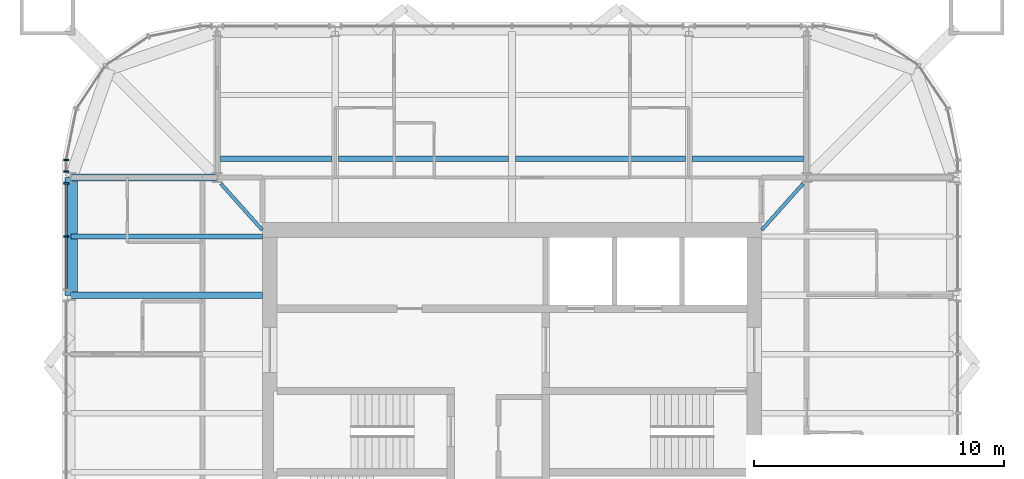
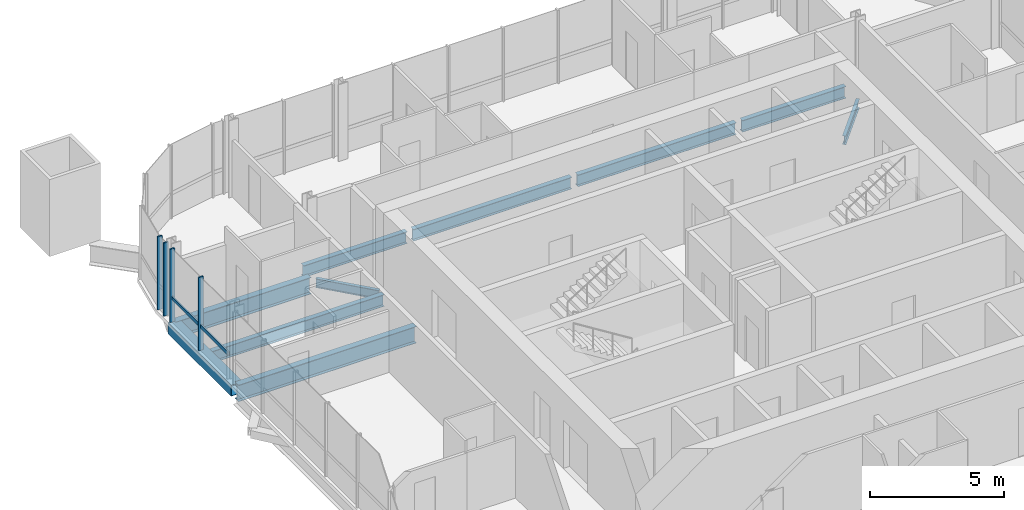
# One storey, part 4 of 17: 10 beams, 6 members, 2 elements without a shape of their own.
"""IFC4 building model written with IfcOpenShell, lengths in metres."""

from ifc_helpers import new_model, si_unit, direction, frame, origin, origin_2d, place, context, subcontext, project, spatial, rectangle, hollow_rectangle, i_section, extrude, material, material_profile, profile_set, type_object, element, aggregate, save


model = new_model("IFC4")

# Units and contexts
model_context = context("Model", 3, precision=1e-05, world=origin(), true_north=direction((0.0, 1.0)))
body_context = subcontext(model_context, "Body", "Model", "MODEL_VIEW")
ifc_project = project(units=[si_unit("LENGTHUNIT", "METRE"), si_unit("AREAUNIT", "SQUARE_METRE"), si_unit("VOLUMEUNIT", "CUBIC_METRE"), si_unit("PLANEANGLEUNIT", "RADIAN"), si_unit("MASSUNIT", "GRAM", prefix="KILO")], contexts=[model_context])

# Site, building, storey
site_placement = place(None, origin())
site = spatial("IfcSite", under=ifc_project, at=site_placement, CompositionType="ELEMENT")
building_placement = place(site_placement, origin())
building = spatial("IfcBuilding", under=site, at=building_placement, Name="Turquesa Mirador Hotel Tower", CompositionType="ELEMENT")
storey_placement = place(building_placement, frame((0.0, 0.0, 244.199951171875)))
storey = spatial("IfcBuildingStorey", under=building, at=storey_placement, Name="L66", CompositionType="ELEMENT", Elevation=244.199951171875)

# Beams
ifc_material_1 = material(Name="Steel ASTM A572 Grade 50", Category="steel")
ifc_material_profile_1 = material_profile(ifc_material_1, hollow_rectangle(XDim=0.5, YDim=0.5, WallThickness=0.01611328125, at=origin_2d()), Name="BOX500X500X16")
ifc_profile_set_1 = profile_set([ifc_material_profile_1], Name="Steel ASTM A572 Grade 50")
beam_type_1 = type_object("IfcBeamType", Name="BEAM BOX500X500X16", PredefinedType="BEAM", material=ifc_profile_set_1)
beam_1_placement = place(storey_placement, frame((37.35009765625, 52.080078125, -0.419921875), z_axis=(0.0, 1.0, 0.0), x_axis=(-1.0, 0.0, 0.0)))
element("IfcBeam", 1, at=beam_1_placement, inside=storey, type_object=beam_type_1, Name="EB-L66-W-R", PredefinedType="BEAM", context=body_context, shape_type="SweptSolid", body=[
    extrude(hollow_rectangle(XDim=0.5, YDim=0.5, WallThickness=0.01611328125, at=origin_2d()), origin(), (0.0, 0.0, 1.0), 4.719970703125),
])
ifc_material_2 = material(Name="Steel ASTM A992 Grade 50", Category="steel")
ifc_material_profile_2 = material_profile(ifc_material_2, i_section(OverallWidth=0.140380859375, OverallDepth=0.40380859375, WebThickness=0.007080078125, FlangeThickness=0.01123046875, at=origin_2d()), Name="W16X31")
ifc_profile_set_2 = profile_set([ifc_material_profile_2], Name="Steel ASTM A992 Grade 50")
beam_type_2 = type_object("IfcBeamType", Name="BEAM W16X31", PredefinedType="BEAM", material=ifc_profile_set_2)
for number, where, z_axis, x_axis, name in (
    (2, (66.656494140625, 56.55126953125, -0.371826171875), (-0.666806350186, -0.745231032198, 0.0), (0.745231032198, -0.666806350186, 0.0), "KT-L66-1"),
    (3, (43.343505859375, 56.55126953125, -0.371826171875), (0.666806350186, -0.745231032198, 0.0), (0.745231032198, 0.666806350186, 0.0), "KT-L66-2"),
):
    element("IfcBeam", number, at=place(storey_placement, frame(where, z_axis=z_axis, x_axis=x_axis)), inside=storey, type_object=beam_type_2, Name=name, PredefinedType="BEAM", context=body_context, shape_type="SweptSolid", body=[
        extrude(i_section(OverallWidth=0.140380859375, OverallDepth=0.40380859375, WebThickness=0.007080078125, FlangeThickness=0.01123046875, at=origin_2d()), origin(), (0.0, 0.0, 1.0), 2.484130859375),
    ])
ifc_material_3 = material(Name="Steel ASTM A992 Grade 50", Category="steel")
ifc_material_profile_3 = material_profile(ifc_material_3, i_section(OverallWidth=0.209228515625, OverallDepth=0.533447265625, WebThickness=0.01025390625, FlangeThickness=0.015625, at=origin_2d()), Name="W21X62")
ifc_profile_set_3 = profile_set([ifc_material_profile_3], Name="Steel ASTM A992 Grade 50")
beam_type_3 = type_object("IfcBeamType", Name="BEAM W21X62", PredefinedType="BEAM", material=ifc_profile_set_3)
beam_2_placement = place(storey_placement, frame((43.333251953125, 57.550048828125, -0.436767578125), z_axis=(1.0, 0.0, 0.0), x_axis=(0.0, 1.0, 0.0)))
element("IfcBeam", 4, at=beam_2_placement, inside=storey, type_object=beam_type_3, Name="IB-L66-N-1-0", PredefinedType="BEAM", context=body_context, shape_type="SweptSolid", body=[
    extrude(i_section(OverallWidth=0.209228515625, OverallDepth=0.533447265625, WebThickness=0.01025390625, FlangeThickness=0.015625, at=origin_2d()), origin(), (0.0, 0.0, 1.0), 4.453369140625),
])
for number, where, z_axis, x_axis, name in (
    (5, (48.053466796875, 57.550048828125, -0.436767578125), (1.0, 0.0, 0.0), (0.0, 1.0, 0.0), "IB-L66-N-1-1"),
    (6, (55.13330078125, 57.550048828125, -0.436767578125), (1.0, 0.0, 0.0), (0.0, 1.0, 0.0), "IB-L66-N-1-2"),
):
    element("IfcBeam", number, at=place(storey_placement, frame(where, z_axis=z_axis, x_axis=x_axis)), inside=storey, type_object=beam_type_3, Name=name, PredefinedType="BEAM", context=body_context, shape_type="SweptSolid", body=[
        extrude(i_section(OverallWidth=0.209228515625, OverallDepth=0.533447265625, WebThickness=0.01025390625, FlangeThickness=0.015625, at=origin_2d()), origin(), (0.0, 0.0, 1.0), 6.813232421875),
    ])
beam_3_placement = place(storey_placement, frame((62.21337890625, 57.550048828125, -0.436767578125), z_axis=(1.0, 0.0, 0.0), x_axis=(0.0, 1.0, 0.0)))
element("IfcBeam", 7, at=beam_3_placement, inside=storey, type_object=beam_type_3, Name="IB-L66-N-1-3", PredefinedType="BEAM", context=body_context, shape_type="SweptSolid", body=[
    extrude(i_section(OverallWidth=0.209228515625, OverallDepth=0.533447265625, WebThickness=0.01025390625, FlangeThickness=0.015625, at=origin_2d()), origin(), (0.0, 0.0, 1.0), 4.453369140625),
])
beam_4_placement = place(storey_placement, frame((37.35009765625, 54.43994140625, -0.436767578125), z_axis=(1.0, 0.0, 0.0), x_axis=(0.0, 1.0, 0.0)))
element("IfcBeam", 8, at=beam_4_placement, inside=storey, type_object=beam_type_3, Name="BM-L66-W-+9.44", PredefinedType="BEAM", context=body_context, shape_type="SweptSolid", body=[
    extrude(i_section(OverallWidth=0.209228515625, OverallDepth=0.533447265625, WebThickness=0.01025390625, FlangeThickness=0.015625, at=origin_2d()), origin(), (0.0, 0.0, 1.0), 7.64990234375),
])
ifc_material_4 = material(Name="Steel ASTM A992 Grade 50", Category="steel")
ifc_material_profile_4 = material_profile(ifc_material_4, i_section(OverallWidth=0.2666015625, OverallDepth=0.7568359375, WebThickness=0.013916015625, FlangeThickness=0.019287109375, at=origin_2d()), Name="W30X108")
ifc_profile_set_4 = profile_set([ifc_material_profile_4], Name="Steel ASTM A992 Grade 50")
beam_type_4 = type_object("IfcBeamType", Name="BEAM W30X108", PredefinedType="BEAM", material=ifc_profile_set_4)
beam_5_placement = place(storey_placement, frame((37.35009765625, 52.080078125, -0.54833984375), z_axis=(1.0, 0.0, 0.0), x_axis=(0.0, 1.0, 0.0)))
element("IfcBeam", 9, at=beam_5_placement, inside=storey, type_object=beam_type_4, Name="GD-L66-W-+7.08", PredefinedType="BEAM", context=body_context, shape_type="SweptSolid", body=[
    extrude(i_section(OverallWidth=0.2666015625, OverallDepth=0.7568359375, WebThickness=0.013916015625, FlangeThickness=0.019287109375, at=origin_2d()), origin(), (0.0, 0.0, 1.0), 7.64990234375),
])
beam_6_placement = place(storey_placement, frame((37.35009765625, 56.800048828125, -0.54833984375), z_axis=(1.0, 0.0, 0.0), x_axis=(0.0, 1.0, 0.0)))
element("IfcBeam", 10, at=beam_6_placement, inside=storey, type_object=beam_type_4, Name="GK-L66-W-+11.80", PredefinedType="BEAM", context=body_context, shape_type="SweptSolid", body=[
    extrude(i_section(OverallWidth=0.2666015625, OverallDepth=0.7568359375, WebThickness=0.013916015625, FlangeThickness=0.019287109375, at=origin_2d()), origin(), (0.0, 0.0, 1.0), 5.849853515625),
])

# Curtain wall, members
ifc_material_5 = material(Name="Aluminium extrusion", Category="aluminium")
curtain_wall_type = type_object("IfcCurtainWallType", Name="CW-4 SUITE FRITTED CURTAIN WALL", PredefinedType="USERDEFINED", material=ifc_material_5)
curtain_wall_1_placement = place(storey_placement, origin())
curtain_wall_1 = element("IfcCurtainWall", 11, at=curtain_wall_1_placement, inside=storey, type_object=curtain_wall_type, Name="CW-4 SUITE FRITTED CURTAIN WALL L66", ObjectType="CURTAIN WALL", PredefinedType="USERDEFINED")
ifc_material_6 = material(Name="Aluminium extrusion", Category="aluminium")
ifc_material_profile_5 = material_profile(ifc_material_6, rectangle(XDim=0.06494140625, YDim=0.199951171875, at=origin_2d()), Name="MULLION 65X200")
ifc_profile_set_5 = profile_set([ifc_material_profile_5], Name="Aluminium extrusion")
member_type_1 = type_object("IfcMemberType", Name="CW MULLION 65X200", PredefinedType="MULLION", material=ifc_profile_set_5)
member_1_placement = place(storey_placement, frame((37.14990234375, 57.5, 0.0), z_axis=(0.0, 0.0, 1.0), x_axis=(0.0, -1.0, 0.0)))
member_1 = element("IfcMember", 12, at=member_1_placement, type_object=member_type_1, Name="Mullion", PredefinedType="MULLION", context=body_context, shape_type="SweptSolid", body=[
    extrude(rectangle(XDim=0.06494140625, YDim=0.199951171875, at=origin_2d()), origin(), (0.0, 0.0, 1.0), 3.330078125),
])
member_2_placement = place(storey_placement, frame((37.14990234375, 57.033935546875, 0.0), z_axis=(0.0, 0.0, 1.0), x_axis=(0.0, -1.0, 0.0)))
member_2 = element("IfcMember", 13, at=member_2_placement, type_object=member_type_1, Name="Mullion", PredefinedType="MULLION", context=body_context, shape_type="SweptSolid", body=[
    extrude(rectangle(XDim=0.06494140625, YDim=0.199951171875, at=origin_2d()), origin(), (0.0, 0.0, 1.0), 3.330078125),
])
aggregate(curtain_wall_1, [member_1, member_2])

curtain_wall_2_placement = place(storey_placement, origin())
curtain_wall_2 = element("IfcCurtainWall", 14, at=curtain_wall_2_placement, inside=storey, type_object=curtain_wall_type, Name="CW-4 SUITE FRITTED CURTAIN WALL L66", ObjectType="CURTAIN WALL", PredefinedType="USERDEFINED")
member_3_placement = place(storey_placement, frame((37.14990234375, 56.566162109375, 0.0), z_axis=(0.0, 0.0, 1.0), x_axis=(0.0, -1.0, 0.0)))
member_3 = element("IfcMember", 15, at=member_3_placement, type_object=member_type_1, Name="Mullion", PredefinedType="MULLION", context=body_context, shape_type="SweptSolid", body=[
    extrude(rectangle(XDim=0.06494140625, YDim=0.199951171875, at=origin_2d()), origin(), (0.0, 0.0, 1.0), 3.330078125),
])
member_4_placement = place(storey_placement, frame((37.14990234375, 54.43994140625, 0.0), z_axis=(0.0, 0.0, 1.0), x_axis=(0.0, -1.0, 0.0)))
member_4 = element("IfcMember", 16, at=member_4_placement, type_object=member_type_1, Name="Mullion", PredefinedType="MULLION", context=body_context, shape_type="SweptSolid", body=[
    extrude(rectangle(XDim=0.06494140625, YDim=0.199951171875, at=origin_2d()), origin(), (0.0, 0.0, 1.0), 3.330078125),
])
ifc_material_7 = material(Name="Aluminium extrusion", Category="aluminium")
ifc_material_profile_6 = material_profile(ifc_material_7, rectangle(XDim=0.06494140625, YDim=0.14990234375, at=origin_2d()), Name="TRANSOM 65X150")
ifc_profile_set_6 = profile_set([ifc_material_profile_6], Name="Aluminium extrusion")
member_type_2 = type_object("IfcMemberType", Name="CW TRANSOM 65X150", PredefinedType="USERDEFINED", material=ifc_profile_set_6)
member_5_placement = place(storey_placement, frame((37.14990234375, 56.53369140625, 1.10009765625), z_axis=(0.0, -1.0, 0.0), x_axis=(1.0, 0.0, 0.0)))
member_5 = element("IfcMember", 17, at=member_5_placement, type_object=member_type_2, Name="Transom", ObjectType="TRANSOM", PredefinedType="USERDEFINED", context=body_context, shape_type="SweptSolid", body=[
    extrude(rectangle(XDim=0.06494140625, YDim=0.14990234375, at=origin_2d()), origin(), (0.0, 0.0, 1.0), 2.061279296875),
])
member_6_placement = place(storey_placement, frame((37.14990234375, 54.407470703125, 1.10009765625), z_axis=(0.0, -1.0, 0.0), x_axis=(1.0, 0.0, 0.0)))
member_6 = element("IfcMember", 18, at=member_6_placement, type_object=member_type_2, Name="Transom", ObjectType="TRANSOM", PredefinedType="USERDEFINED", context=body_context, shape_type="SweptSolid", body=[
    extrude(rectangle(XDim=0.06494140625, YDim=0.14990234375, at=origin_2d()), origin(), (0.0, 0.0, 1.0), 2.06103515625),
])
aggregate(curtain_wall_2, [member_3, member_4, member_5, member_6])

save(model, "model.ifc")
